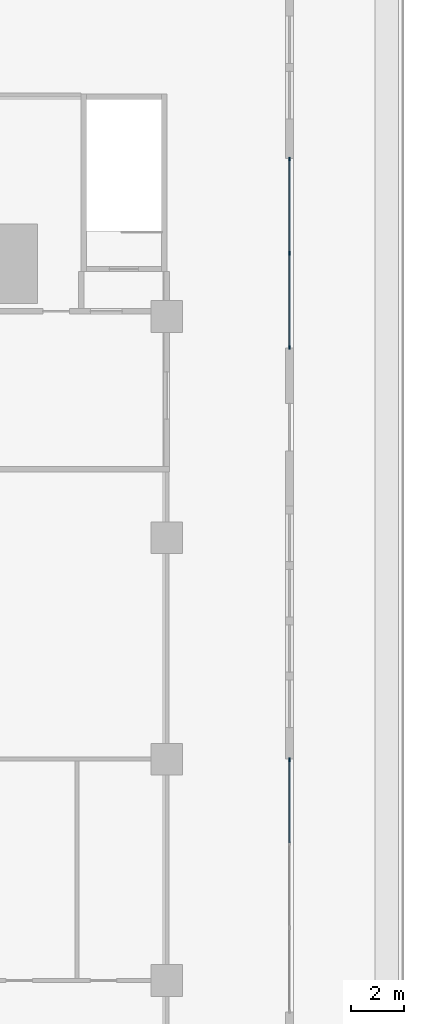
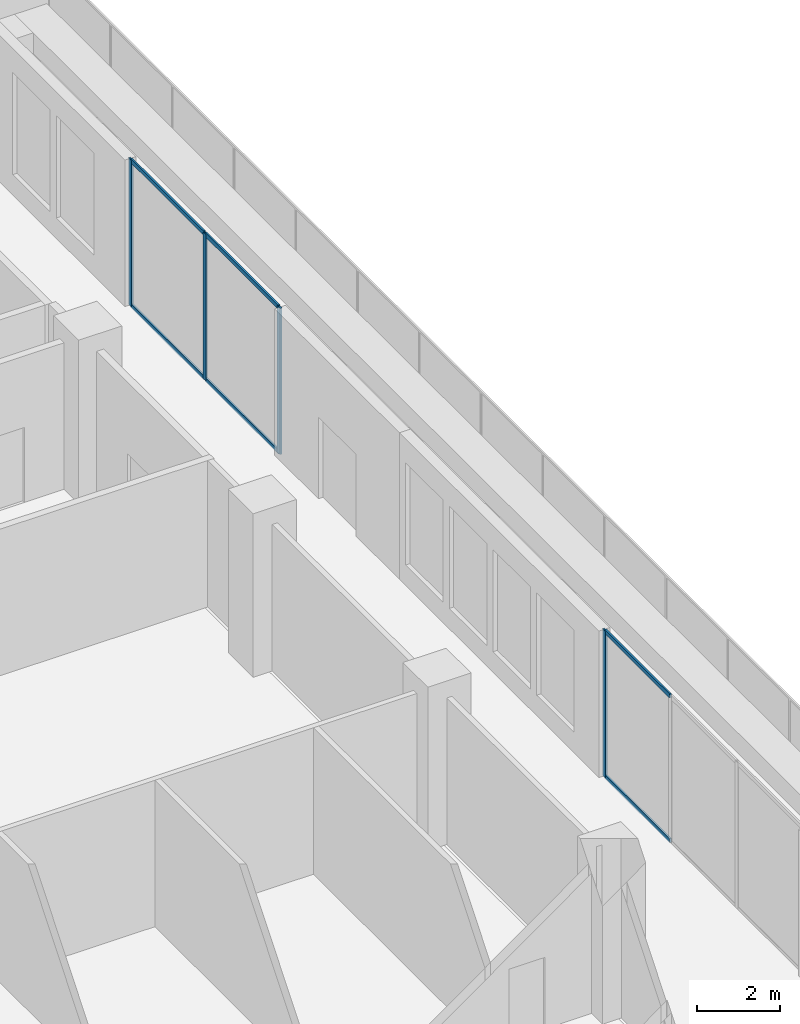
# One storey, part 8 of 22: 10 members, 2 elements without a shape of their own.
"""IFC4 building model written with IfcOpenShell, lengths in metres."""

from ifc_helpers import new_model, si_unit, direction, frame, origin, origin_2d, place, context, subcontext, project, spatial, rectangle, extrude, material, material_profile, profile_set, type_object, element, aggregate, save


model = new_model("IFC4")

# Units and contexts
model_context = context("Model", 3, precision=1e-05, world=origin(), true_north=direction((0.0, 1.0)))
body_context = subcontext(model_context, "Body", "Model", "MODEL_VIEW")
ifc_project = project(units=[si_unit("LENGTHUNIT", "METRE"), si_unit("AREAUNIT", "SQUARE_METRE"), si_unit("VOLUMEUNIT", "CUBIC_METRE"), si_unit("PLANEANGLEUNIT", "RADIAN"), si_unit("MASSUNIT", "GRAM", prefix="KILO")], contexts=[model_context])

# Site, building, storey
site_placement = place(None, origin())
site = spatial("IfcSite", under=ifc_project, at=site_placement, CompositionType="ELEMENT")
building_placement = place(site_placement, origin())
building = spatial("IfcBuilding", under=site, at=building_placement, Name="Khepri Terraces", CompositionType="ELEMENT")
storey_placement = place(building_placement, frame((0.0, 0.0, 22.199951171875)))
storey = spatial("IfcBuildingStorey", under=building, at=storey_placement, Name="L04", CompositionType="ELEMENT", Elevation=22.199951171875)

# Curtain wall, member
ifc_material_1 = material(Name="Anodised aluminium bronze curtain wall", Category="aluminium")
curtain_wall_type = type_object("IfcCurtainWallType", Name="CW-SYS6-LOUNGE", PredefinedType="NOTDEFINED", material=ifc_material_1)
curtain_wall_1_placement = place(storey_placement, origin())
curtain_wall_1 = element("IfcCurtainWall", 1, at=curtain_wall_1_placement, inside=storey, type_object=curtain_wall_type, Name="Curtain wall CW6 L04 E", PredefinedType="NOTDEFINED")
ifc_material_2 = material(Name="Anodised aluminium bronze", Category="aluminium")
ifc_material_profile_1 = material_profile(ifc_material_2, rectangle(XDim=0.050048828125, YDim=0.139892578125, at=origin_2d()), Name="Anodised aluminium bronze", Category="aluminium")
ifc_profile_set_1 = profile_set([ifc_material_profile_1], Name="Anodised aluminium bronze")
member_type_1 = type_object("IfcMemberType", Name="CW-MULLION-50x140", PredefinedType="MULLION", material=ifc_profile_set_1)
member_1_placement = place(storey_placement, frame((29.85009765625, -0.02490234375, 0.0), z_axis=(0.0, 0.0, 1.0), x_axis=(-1.0, 0.0, 0.0)))
member_1 = element("IfcMember", 2, at=member_1_placement, type_object=member_type_1, Name="CW6 mullion 4", PredefinedType="MULLION", context=body_context, shape_type="SweptSolid", body=[
    extrude(rectangle(XDim=0.050048828125, YDim=0.139892578125, at=origin_2d()), origin(), (0.0, 0.0, 1.0), 4.300048828125),
])

# Curtain wall, members
curtain_wall_2_placement = place(storey_placement, origin())
curtain_wall_2 = element("IfcCurtainWall", 3, at=curtain_wall_2_placement, inside=storey, type_object=curtain_wall_type, Name="Curtain wall CW6 L04 E", PredefinedType="NOTDEFINED")
member_2_placement = place(storey_placement, frame((29.85009765625, 15.625, 0.0), z_axis=(0.0, 0.0, 1.0), x_axis=(-1.0, 0.0, 0.0)))
member_2 = element("IfcMember", 4, at=member_2_placement, type_object=member_type_1, Name="CW6 mullion 1", PredefinedType="MULLION", context=body_context, shape_type="SweptSolid", body=[
    extrude(rectangle(XDim=0.050048828125, YDim=0.139892578125, at=origin_2d()), origin(), (0.0, 0.0, 1.0), 4.300048828125),
])
member_3_placement = place(storey_placement, frame((29.85009765625, 19.199951171875, 0.0), z_axis=(0.0, 0.0, 1.0), x_axis=(-1.0, 0.0, 0.0)))
member_3 = element("IfcMember", 5, at=member_3_placement, type_object=member_type_1, Name="CW6 mullion 2", PredefinedType="MULLION", context=body_context, shape_type="SweptSolid", body=[
    extrude(rectangle(XDim=0.050048828125, YDim=0.139892578125, at=origin_2d()), origin(), (0.0, 0.0, 1.0), 4.300048828125),
])
member_4_placement = place(storey_placement, frame((29.85009765625, 22.77490234375, 0.0), z_axis=(0.0, 0.0, 1.0), x_axis=(-1.0, 0.0, 0.0)))
member_4 = element("IfcMember", 6, at=member_4_placement, type_object=member_type_1, Name="CW6 mullion 3", PredefinedType="MULLION", context=body_context, shape_type="SweptSolid", body=[
    extrude(rectangle(XDim=0.050048828125, YDim=0.139892578125, at=origin_2d()), origin(), (0.0, 0.0, 1.0), 4.300048828125),
])

# Member
ifc_material_profile_2 = material_profile(ifc_material_2, rectangle(XDim=0.050048828125, YDim=0.1201171875, at=origin_2d()), Name="Anodised aluminium bronze", Category="aluminium")
ifc_profile_set_2 = profile_set([ifc_material_profile_2], Name="Anodised aluminium bronze")
member_type_2 = type_object("IfcMemberType", Name="CW-TRANSOM-50x120", PredefinedType="USERDEFINED", material=ifc_profile_set_2)
member_5_placement = place(storey_placement, frame((29.85009765625, -3.175048828125, 0.025146484375), z_axis=(0.0, 1.0, 0.0), x_axis=(-1.0, 0.0, 0.0)))
member_5 = element("IfcMember", 7, at=member_5_placement, type_object=member_type_2, Name="CW6 transom 3.1", ObjectType="TRANSOM", PredefinedType="USERDEFINED", context=body_context, shape_type="SweptSolid", body=[
    extrude(rectangle(XDim=0.050048828125, YDim=0.1201171875, at=origin_2d()), origin(), (0.0, 0.0, 1.0), 3.125),
])

member_6_placement = place(storey_placement, frame((29.85009765625, -3.175048828125, 4.275146484375), z_axis=(0.0, 1.0, 0.0), x_axis=(-1.0, 0.0, 0.0)))
member_6 = element("IfcMember", 8, at=member_6_placement, type_object=member_type_2, Name="CW6 transom 3.2", ObjectType="TRANSOM", PredefinedType="USERDEFINED", context=body_context, shape_type="SweptSolid", body=[
    extrude(rectangle(XDim=0.050048828125, YDim=0.1201171875, at=origin_2d()), origin(), (0.0, 0.0, 1.0), 3.125),
])

aggregate(curtain_wall_1, [member_1, member_5, member_6])

member_7_placement = place(storey_placement, frame((29.85009765625, 15.64990234375, 0.025146484375), z_axis=(0.0, 1.0, 0.0), x_axis=(-1.0, 0.0, 0.0)))
member_7 = element("IfcMember", 9, at=member_7_placement, type_object=member_type_2, Name="CW6 transom 1.1", ObjectType="TRANSOM", PredefinedType="USERDEFINED", context=body_context, shape_type="SweptSolid", body=[
    extrude(rectangle(XDim=0.050048828125, YDim=0.1201171875, at=origin_2d()), origin(), (0.0, 0.0, 1.0), 3.525146484375),
])

member_8_placement = place(storey_placement, frame((29.85009765625, 15.64990234375, 4.275146484375), z_axis=(0.0, 1.0, 0.0), x_axis=(-1.0, 0.0, 0.0)))
member_8 = element("IfcMember", 10, at=member_8_placement, type_object=member_type_2, Name="CW6 transom 1.2", ObjectType="TRANSOM", PredefinedType="USERDEFINED", context=body_context, shape_type="SweptSolid", body=[
    extrude(rectangle(XDim=0.050048828125, YDim=0.1201171875, at=origin_2d()), origin(), (0.0, 0.0, 1.0), 3.525146484375),
])

member_9_placement = place(storey_placement, frame((29.85009765625, 19.22509765625, 0.025146484375), z_axis=(0.0, 1.0, 0.0), x_axis=(-1.0, 0.0, 0.0)))
member_9 = element("IfcMember", 11, at=member_9_placement, type_object=member_type_2, Name="CW6 transom 2.1", ObjectType="TRANSOM", PredefinedType="USERDEFINED", context=body_context, shape_type="SweptSolid", body=[
    extrude(rectangle(XDim=0.050048828125, YDim=0.1201171875, at=origin_2d()), origin(), (0.0, 0.0, 1.0), 3.52490234375),
])

member_10_placement = place(storey_placement, frame((29.85009765625, 19.22509765625, 4.275146484375), z_axis=(0.0, 1.0, 0.0), x_axis=(-1.0, 0.0, 0.0)))
member_10 = element("IfcMember", 12, at=member_10_placement, type_object=member_type_2, Name="CW6 transom 2.2", ObjectType="TRANSOM", PredefinedType="USERDEFINED", context=body_context, shape_type="SweptSolid", body=[
    extrude(rectangle(XDim=0.050048828125, YDim=0.1201171875, at=origin_2d()), origin(), (0.0, 0.0, 1.0), 3.52490234375),
])

aggregate(curtain_wall_2, [member_2, member_3, member_4, member_7, member_8, member_9, member_10])

save(model, "model.ifc")
